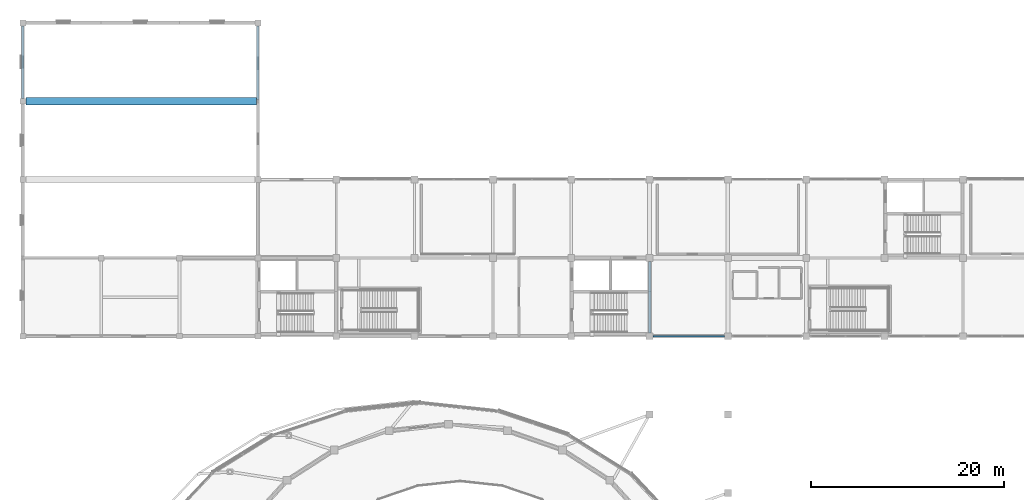
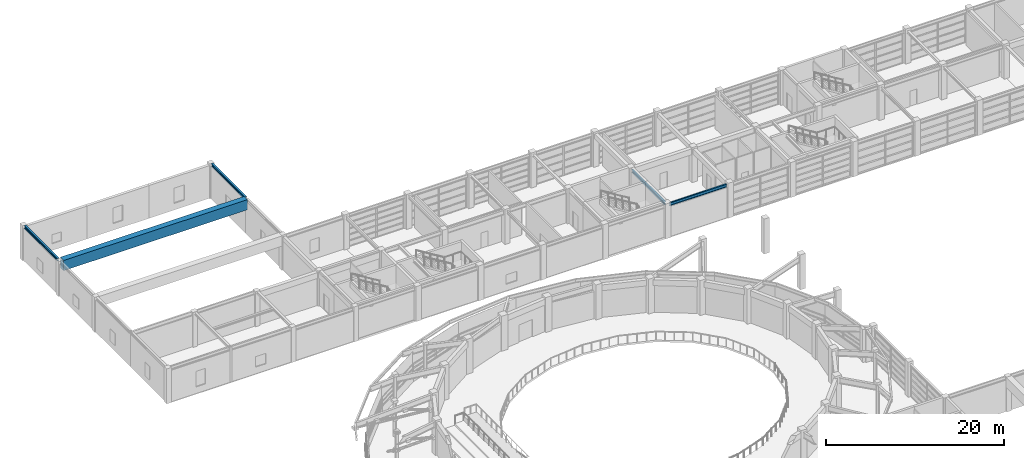
# One storey, part 29 of 58: 5 beams.
"""IFC4 building model written with IfcOpenShell, lengths in metres."""

from ifc_helpers import new_model, si_unit, direction, frame, origin, origin_2d, place, context, subcontext, project, spatial, rectangle, i_section, extrude, material, material_profile, profile_set, type_object, element, save


model = new_model("IFC4")

# Units and contexts
model_context = context("Model", 3, precision=1e-05, world=origin(), true_north=direction((0.0, 1.0)))
body_context = subcontext(model_context, "Body", "Model", "MODEL_VIEW")
ifc_project = project(units=[si_unit("LENGTHUNIT", "METRE"), si_unit("AREAUNIT", "SQUARE_METRE"), si_unit("VOLUMEUNIT", "CUBIC_METRE"), si_unit("PLANEANGLEUNIT", "RADIAN"), si_unit("MASSUNIT", "GRAM", prefix="KILO")], contexts=[model_context])

# Site, building, storey
site_placement = place(None, origin())
site = spatial("IfcSite", under=ifc_project, at=site_placement, CompositionType="ELEMENT")
building_placement = place(site_placement, origin())
building = spatial("IfcBuilding", under=site, at=building_placement, Name="Parian Resonance Hall", CompositionType="ELEMENT")
storey_placement = place(building_placement, frame((0.0, 0.0, 10.199951171875)))
storey = spatial("IfcBuildingStorey", under=building, at=storey_placement, Name="L02", CompositionType="ELEMENT", Elevation=10.199951171875)

# Beams
ifc_material_1 = material(Name="Concrete C40/50", Category="concrete")
ifc_material_profile_1 = material_profile(ifc_material_1, rectangle(XDim=0.75, YDim=1.39990234375, at=origin_2d()), Name="RC-TG-750x1400")
ifc_profile_set_1 = profile_set([ifc_material_profile_1], Name="Concrete C40/50")
beam_type_1 = type_object("IfcBeamType", Name="BM-RCTG750x1400", PredefinedType="USERDEFINED", material=ifc_profile_set_1)
beam_1_placement = place(storey_placement, frame((0.300048828125, 97.199951171875, 4.10009765625), z_axis=(1.0, 0.0, 0.0), x_axis=(0.0, 1.0, 0.0)))
element("IfcBeam", 1, at=beam_1_placement, inside=storey, type_object=beam_type_1, Name="Chamber Music Hall clear-span roof transfer girder 2", ObjectType="GIRDER", PredefinedType="USERDEFINED", context=body_context, shape_type="SweptSolid", body=[
    extrude(rectangle(XDim=0.75, YDim=1.39990234375, at=origin_2d()), origin(), (0.0, 0.0, 1.0), 23.87255859375),
])
ifc_material_2 = material(Name="Steel S355", Category="steel")
ifc_material_profile_2 = material_profile(ifc_material_2, i_section(OverallWidth=0.2548828125, OverallDepth=0.35693359375, WebThickness=0.010498046875, FlangeThickness=0.018310546875, FilletRadius=0.01513671875, at=origin_2d()), Name="W360x101")
ifc_profile_set_2 = profile_set([ifc_material_profile_2], Name="Steel S355")
beam_type_2 = type_object("IfcBeamType", Name="BM-W360x101", PredefinedType="SPANDREL", material=ifc_profile_set_2)
beam_2_placement = place(storey_placement, frame((0.0, 97.5, 4.62158203125), z_axis=(0.0, 1.0, 0.0), x_axis=(-1.0, 0.0, 0.0)))
element("IfcBeam", 2, at=beam_2_placement, inside=storey, type_object=beam_type_2, Name="GY-L02-0743", PredefinedType="SPANDREL", context=body_context, shape_type="SweptSolid", body=[
    extrude(i_section(OverallWidth=0.2548828125, OverallDepth=0.35693359375, WebThickness=0.010498046875, FlangeThickness=0.018310546875, FilletRadius=0.01513671875, at=origin_2d()), origin(), (0.0, 0.0, 1.0), 7.5),
])
beam_3_placement = place(storey_placement, frame((24.300048828125, 97.37841796875, 4.62158203125), z_axis=(0.0, 1.0, 0.0), x_axis=(-1.0, 0.0, 0.0)))
element("IfcBeam", 3, at=beam_3_placement, inside=storey, type_object=beam_type_2, Name="GY-L02-0749", PredefinedType="SPANDREL", context=body_context, shape_type="SweptSolid", body=[
    extrude(i_section(OverallWidth=0.2548828125, OverallDepth=0.35693359375, WebThickness=0.010498046875, FlangeThickness=0.018310546875, FilletRadius=0.01513671875, at=origin_2d()), origin(), (0.0, 0.0, 1.0), 7.62158203125),
])
beam_4_placement = place(storey_placement, frame((64.800048828125, 73.25, 4.381591796875), z_axis=(0.0, 1.0, 0.0), x_axis=(-1.0, 0.0, 0.0)))
element("IfcBeam", 4, at=beam_4_placement, inside=storey, type_object=beam_type_2, Name="GY-L02-0758", PredefinedType="SPANDREL", context=body_context, shape_type="SweptSolid", body=[
    extrude(i_section(OverallWidth=0.2548828125, OverallDepth=0.35693359375, WebThickness=0.010498046875, FlangeThickness=0.018310546875, FilletRadius=0.01513671875, at=origin_2d()), origin(), (0.0, 0.0, 1.0), 7.39990234375),
])
ifc_material_3 = material(Name="Steel S355", Category="steel")
ifc_material_profile_3 = material_profile(ifc_material_3, i_section(OverallWidth=0.180908203125, OverallDepth=0.4169921875, WebThickness=0.010986328125, FlangeThickness=0.018310546875, FilletRadius=0.01513671875, at=origin_2d()), Name="W410x85")
ifc_profile_set_3 = profile_set([ifc_material_profile_3], Name="Steel S355")
beam_type_3 = type_object("IfcBeamType", Name="BM-W410x85", PredefinedType="SPANDREL", material=ifc_profile_set_3)
beam_5_placement = place(storey_placement, frame((65.14990234375, 72.89990234375, 4.3515625), z_axis=(1.0, 0.0, 0.0), x_axis=(0.0, 1.0, 0.0)))
element("IfcBeam", 5, at=beam_5_placement, inside=storey, type_object=beam_type_3, Name="GX-L02-0682", PredefinedType="SPANDREL", context=body_context, shape_type="SweptSolid", body=[
    extrude(i_section(OverallWidth=0.180908203125, OverallDepth=0.4169921875, WebThickness=0.010986328125, FlangeThickness=0.018310546875, FilletRadius=0.01513671875, at=origin_2d()), origin(), (0.0, 0.0, 1.0), 7.400146484375),
])

save(model, "model.ifc")
